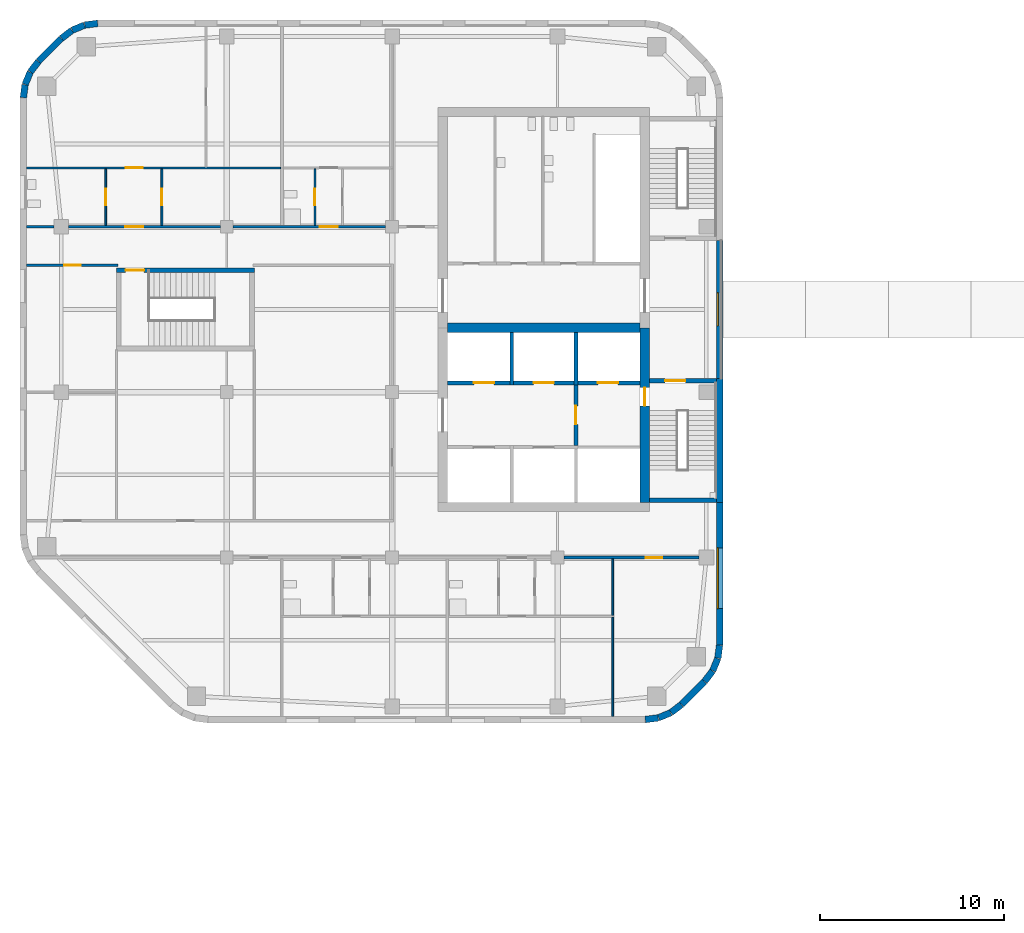
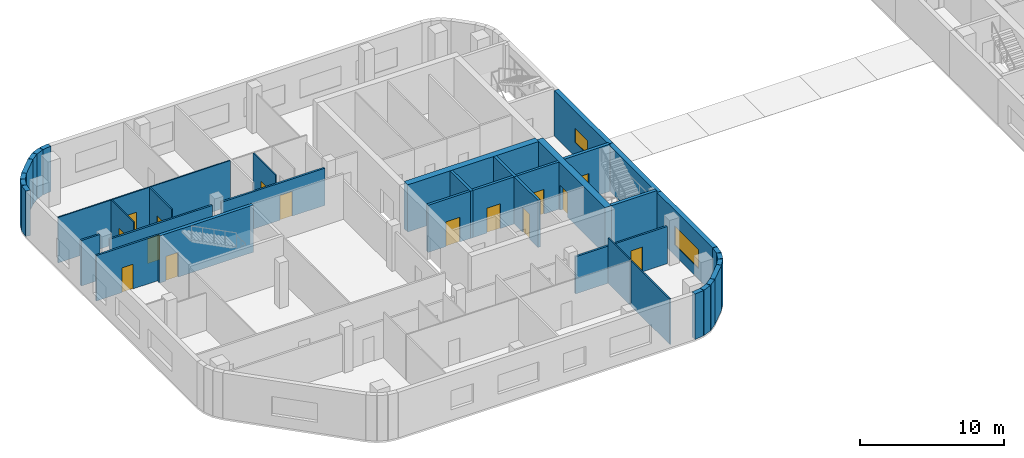
# One storey, part 6 of 15: 39 walls, 15 doors, 2 windows, 17 openings.
"""IFC4 building model written with IfcOpenShell, lengths in metres."""

from ifc_helpers import new_model, si_unit, direction, frame, frame_2d, origin, place, context, subcontext, project, spatial, rectangle, extrude, material, layer, layer_set, type_object, element, fill, save


model = new_model("IFC4")

# Units and contexts
model_context = context("Model", 3, precision=1e-05, world=origin(), true_north=direction((0.0, 1.0)))
body_context = subcontext(model_context, "Body", "Model", "MODEL_VIEW")
ifc_project = project(units=[si_unit("LENGTHUNIT", "METRE"), si_unit("AREAUNIT", "SQUARE_METRE"), si_unit("VOLUMEUNIT", "CUBIC_METRE"), si_unit("PLANEANGLEUNIT", "RADIAN"), si_unit("MASSUNIT", "GRAM", prefix="KILO")], contexts=[model_context])

# Site, building, storey
site_placement = place(None, origin())
site = spatial("IfcSite", under=ifc_project, at=site_placement, CompositionType="ELEMENT")
building_placement = place(site_placement, origin())
building = spatial("IfcBuilding", under=site, at=building_placement, Name="Cinnabar Reach Civic Tower", CompositionType="ELEMENT")
storey_placement = place(building_placement, frame((0.0, 0.0, 75.0)))
storey = spatial("IfcBuildingStorey", under=building, at=storey_placement, Name="L17", CompositionType="ELEMENT", Elevation=75.0)

# Walls
ifc_material_1 = material(Name="Facing brick with insulated backing", Category="masonry")
ifc_layer_1 = layer(ifc_material_1, 0.36)
ifc_layer_set_1 = layer_set([ifc_layer_1], Name="Brick corner wall")
wall_type_1 = type_object("IfcWallType", Name="Brick corner wall", PredefinedType="STANDARD", material=ifc_layer_set_1)
for number, where, z_axis, x_axis, name in (
    (1, (-31.2314, 9.183, 0.0), (0.0, 0.0, 1.0), (0.99144092581, 0.13055608231, 0.0), "Brick corner wall"),
    (2, (-30.5027, 9.2819, 0.0), (0.0, 0.0, 1.0), (0.923871547278, 0.382702709855, 0.0), "Brick corner wall"),
):
    element("IfcWall", number, at=place(storey_placement, frame(where, z_axis=z_axis, x_axis=x_axis)), inside=storey, type_object=wall_type_1, Name=name, PredefinedType="STANDARD", context=body_context, shape_type="SweptSolid", body=[
        extrude(rectangle(XDim=0.7131, YDim=0.36, at=frame_2d((0.3565, 0.0))), origin(), (0.0, 0.0, 1.0), 3.85),
    ])
for number, where, z_axis, x_axis, name in (
    (3, (-29.8245, 9.566, 0.0), (0.0, 0.0, 1.0), (0.793321924995, 0.608802368033, 0.0), "Brick corner wall"),
    (4, (-28.0002, 11.2587, 0.0), (0.0, 0.0, 1.0), (0.608802368033, 0.793321924995, 0.0), "Brick corner wall"),
):
    element("IfcWall", number, at=place(storey_placement, frame(where, z_axis=z_axis, x_axis=x_axis)), inside=storey, type_object=wall_type_1, Name=name, PredefinedType="STANDARD", context=body_context, shape_type="SweptSolid", body=[
        extrude(rectangle(XDim=0.7132, YDim=0.36, at=frame_2d((0.3566, 0.0))), origin(), (0.0, 0.0, 1.0), 3.85),
    ])
for number, where, z_axis, x_axis, name in (
    (5, (-27.5548, 11.8439, 0.0), (0.0, 0.0, 1.0), (0.382702709855, 0.923871547278, 0.0), "Brick corner wall"),
    (6, (-27.2761, 12.5244, 0.0), (0.0, 0.0, 1.0), (0.13055608231, 0.99144092581, 0.0), "Brick corner wall"),
    (7, (-61.0186, 47.067, 0.0), (0.0, 0.0, 1.0), (-0.99144092581, -0.13055608231, 0.0), "Brick corner wall"),
    (8, (-61.7473, 46.9681, 0.0), (0.0, 0.0, 1.0), (-0.923871547278, -0.382702709855, 0.0), "Brick corner wall"),
):
    element("IfcWall", number, at=place(storey_placement, frame(where, z_axis=z_axis, x_axis=x_axis)), inside=storey, type_object=wall_type_1, Name=name, PredefinedType="STANDARD", context=body_context, shape_type="SweptSolid", body=[
        extrude(rectangle(XDim=0.7131, YDim=0.36, at=frame_2d((0.3565, 0.0))), origin(), (0.0, 0.0, 1.0), 3.85),
    ])
for number, where, z_axis, x_axis, name in (
    (9, (-62.4255, 46.684, 0.0), (0.0, 0.0, 1.0), (-0.793321924995, -0.608802368033, 0.0), "Brick corner wall"),
    (10, (-64.2498, 44.9913, 0.0), (0.0, 0.0, 1.0), (-0.608802368033, -0.793321924995, 0.0), "Brick corner wall"),
):
    element("IfcWall", number, at=place(storey_placement, frame(where, z_axis=z_axis, x_axis=x_axis)), inside=storey, type_object=wall_type_1, Name=name, PredefinedType="STANDARD", context=body_context, shape_type="SweptSolid", body=[
        extrude(rectangle(XDim=0.7132, YDim=0.36, at=frame_2d((0.3566, 0.0))), origin(), (0.0, 0.0, 1.0), 3.85),
    ])
for number, where, z_axis, x_axis, name in (
    (11, (-64.6952, 44.4061, 0.0), (0.0, 0.0, 1.0), (-0.382702709855, -0.923871547278, 0.0), "Brick corner wall"),
    (12, (-64.9739, 43.7256, 0.0), (0.0, 0.0, 1.0), (-0.13055608231, -0.99144092581, 0.0), "Brick corner wall"),
):
    element("IfcWall", number, at=place(storey_placement, frame(where, z_axis=z_axis, x_axis=x_axis)), inside=storey, type_object=wall_type_1, Name=name, PredefinedType="STANDARD", context=body_context, shape_type="SweptSolid", body=[
        extrude(rectangle(XDim=0.7131, YDim=0.36, at=frame_2d((0.3565, 0.0))), origin(), (0.0, 0.0, 1.0), 3.85),
    ])
ifc_layer_2 = layer(ifc_material_1, 0.36)
ifc_layer_set_2 = layer_set([ifc_layer_2], Name="Brick pier and spandrel wall")
wall_type_2 = type_object("IfcWallType", Name="Brick pier and spandrel wall", PredefinedType="STANDARD", material=ifc_layer_set_2)
wall_1_placement = place(storey_placement, frame((-29.2486, 10.006, 0.0), z_axis=(0.0, 0.0, 1.0), x_axis=(0.707106781187, 0.707106781187, 0.0)))
element("IfcWall", 13, at=wall_1_placement, inside=storey, type_object=wall_type_2, Name="Brick facade wall", PredefinedType="STANDARD", context=body_context, shape_type="SweptSolid", body=[
    extrude(rectangle(XDim=1.7573, YDim=0.36, at=frame_2d((0.8787, 0.0))), origin(), (0.0, 0.0, 1.0), 3.85),
])

# Wall, opening, window
wall_2_placement = place(storey_placement, frame((-27.18, 13.2426, 0.0), z_axis=(0.0, 0.0, 1.0), x_axis=(0.0, 1.0, 0.0)))
wall_2 = element("IfcWall", 14, at=wall_2_placement, inside=storey, type_object=wall_type_2, Name="Brick facade wall", PredefinedType="STANDARD", context=body_context, shape_type="SweptSolid", body=[
    extrude(rectangle(XDim=7.7574, YDim=0.36, at=frame_2d((3.8787, 0.0))), origin(), (0.0, 0.0, 1.0), 3.85),
])
opening_1_placement = place(wall_2_placement, frame((1.9824, 0.0, 0.9)))
opening_1 = element("IfcOpeningElement", 15, at=opening_1_placement, cuts=wall_2, Name="Opening W2573", PredefinedType="OPENING", context=body_context, shape_type="SweptSolid", body=[
    extrude(rectangle(XDim=3.3, YDim=1.6, at=frame_2d((1.65, 0.8))), frame((0.0, 0.19, 0.0), z_axis=(0.0, -1.0, 0.0), x_axis=(1.0, 0.0, 0.0)), (0.0, 0.0, 1.0), 0.38),
])
ifc_material_2 = material(Name="Clear double glazing in aluminium frame", Category="aluminium")
window_type_1 = type_object("IfcWindowType", Name="Deep-set window A", PartitioningType="SINGLE_PANEL", PredefinedType="WINDOW", material=ifc_material_2)
window_1_placement = place(opening_1_placement, origin())
window_1 = element("IfcWindow", 16, at=window_1_placement, inside=storey, type_object=window_type_1, Name="Window east face", OverallHeight=1.6, OverallWidth=3.3, PartitioningType="SINGLE_PANEL", PredefinedType="WINDOW", context=body_context, shape_type="SweptSolid", body=[
    extrude(rectangle(XDim=3.3, YDim=1.6, at=frame_2d((1.65, 0.8))), frame((0.0, 0.13, 0.0), z_axis=(0.0, -1.0, 0.0), x_axis=(1.0, 0.0, 0.0)), (0.0, 0.0, 1.0), 0.06),
])
fill(opening_1, window_1)

# Wall
wall_3_placement = place(storey_placement, frame((-27.18, 21.0, 0.0), z_axis=(0.0, 0.0, 1.0), x_axis=(0.0, 1.0, 0.0)))
element("IfcWall", 17, at=wall_3_placement, inside=storey, type_object=wall_type_2, Name="Brick facade wall", PredefinedType="STANDARD", context=body_context, shape_type="SweptSolid", body=[
    extrude(rectangle(XDim=6.75, YDim=0.36, at=frame_2d((3.375, 0.0))), origin(), (0.0, 0.0, 1.0), 3.85),
])

# Wall, opening, window
wall_4_placement = place(storey_placement, frame((-27.18, 27.75, 0.0), z_axis=(0.0, 0.0, 1.0), x_axis=(0.0, 1.0, 0.0)))
wall_4 = element("IfcWall", 18, at=wall_4_placement, inside=storey, type_object=wall_type_2, Name="Brick facade wall", PredefinedType="STANDARD", context=body_context, shape_type="SweptSolid", body=[
    extrude(rectangle(XDim=7.5, YDim=0.36, at=frame_2d((3.75, 0.0))), origin(), (0.0, 0.0, 1.0), 3.85),
])
opening_2_placement = place(wall_4_placement, frame((2.85, 0.0, 1.2)))
opening_2 = element("IfcOpeningElement", 19, at=opening_2_placement, cuts=wall_4, Name="Opening W2574", PredefinedType="OPENING", context=body_context, shape_type="SweptSolid", body=[
    extrude(rectangle(XDim=1.8, YDim=1.2, at=frame_2d((0.9, 0.6))), frame((0.0, 0.19, 0.0), z_axis=(0.0, -1.0, 0.0), x_axis=(1.0, 0.0, 0.0)), (0.0, 0.0, 1.0), 0.38),
])
window_type_2 = type_object("IfcWindowType", Name="Deep-set window C", PartitioningType="SINGLE_PANEL", PredefinedType="WINDOW", material=ifc_material_2)
window_2_placement = place(opening_2_placement, origin())
window_2 = element("IfcWindow", 20, at=window_2_placement, inside=storey, type_object=window_type_2, Name="Window east face", OverallHeight=1.2, OverallWidth=1.8, PartitioningType="SINGLE_PANEL", PredefinedType="WINDOW", context=body_context, shape_type="SweptSolid", body=[
    extrude(rectangle(XDim=1.8, YDim=1.2, at=frame_2d((0.9, 0.6))), frame((0.0, 0.13, 0.0), z_axis=(0.0, -1.0, 0.0), x_axis=(1.0, 0.0, 0.0)), (0.0, 0.0, 1.0), 0.06),
])
fill(opening_2, window_2)

# Wall
wall_5_placement = place(storey_placement, frame((-63.0014, 46.244, 0.0), z_axis=(0.0, 0.0, 1.0), x_axis=(-0.707106781187, -0.707106781187, 0.0)))
element("IfcWall", 21, at=wall_5_placement, inside=storey, type_object=wall_type_2, Name="Brick facade wall", PredefinedType="STANDARD", context=body_context, shape_type="SweptSolid", body=[
    extrude(rectangle(XDim=1.7573, YDim=0.36, at=frame_2d((0.8787, 0.0))), origin(), (0.0, 0.0, 1.0), 3.85),
])

# Wall, opening, door
ifc_material_3 = material(Name="Concrete C60", Category="concrete")
ifc_layer_3 = layer(ifc_material_3, 0.5)
ifc_layer_set_3 = layer_set([ifc_layer_3], Name="Core wall 500 EI 180")
wall_type_3 = type_object("IfcWallType", Name="Core wall 500 EI 180", PredefinedType="SOLIDWALL", material=ifc_layer_set_3)
wall_6_placement = place(storey_placement, frame((-31.25, 21.0, 0.0), z_axis=(0.0, 0.0, 1.0), x_axis=(0.0, 1.0, 0.0)))
wall_6 = element("IfcWall", 22, at=wall_6_placement, inside=storey, type_object=wall_type_3, Name="Core wall T2 L17 E", PredefinedType="SOLIDWALL", context=body_context, shape_type="SweptSolid", body=[
    extrude(rectangle(XDim=9.5, YDim=0.5, at=frame_2d((4.75, 0.0))), origin(), (0.0, 0.0, 1.0), 4.0),
])
opening_3_placement = place(wall_6_placement, frame((5.25, 0.0, 0.0)))
opening_3 = element("IfcOpeningElement", 23, at=opening_3_placement, cuts=wall_6, Name="Opening D6632", PredefinedType="OPENING", context=body_context, shape_type="SweptSolid", body=[
    extrude(rectangle(XDim=1.0, YDim=2.1, at=frame_2d((0.5, 1.05))), frame((0.0, 0.26, 0.0), z_axis=(0.0, -1.0, 0.0), x_axis=(1.0, 0.0, 0.0)), (0.0, 0.0, 1.0), 0.52),
])
ifc_material_4 = material(Name="Steel fire door", Category="steel")
door_type_1 = type_object("IfcDoorType", Name="T2 Firefighting lobby door 1000", OperationType="SINGLE_SWING_LEFT", PredefinedType="DOOR", material=ifc_material_4)
door_1_placement = place(opening_3_placement, frame((1.0, 0.0, 0.0), z_axis=(0.0, 0.0, 1.0), x_axis=(-1.0, 0.0, 0.0)))
door_1 = element("IfcDoor", 24, at=door_1_placement, inside=storey, type_object=door_type_1, Name="T2 Firefighting lobby door D6632", OperationType="SINGLE_SWING_LEFT", OverallHeight=2.1, OverallWidth=1.0, PredefinedType="DOOR", context=body_context, shape_type="SweptSolid", body=[
    extrude(rectangle(XDim=1.0, YDim=2.1, at=frame_2d((0.5, 1.05))), frame((0.0, 0.025, 0.0), z_axis=(0.0, -1.0, 0.0), x_axis=(1.0, 0.0, 0.0)), (0.0, 0.0, 1.0), 0.05),
])
fill(opening_3, door_1)

# Wall
wall_7_placement = place(storey_placement, frame((-42.0, 30.5, 0.0), z_axis=(0.0, 0.0, 1.0), x_axis=(1.0, 0.0, 0.0)))
element("IfcWall", 25, at=wall_7_placement, inside=storey, type_object=wall_type_3, Name="Core spine wall T2 L17", PredefinedType="SOLIDWALL", context=body_context, shape_type="SweptSolid", body=[
    extrude(rectangle(XDim=10.5, YDim=0.5, at=frame_2d((5.25, 0.0))), origin(), (0.0, 0.0, 1.0), 4.0),
])

# Wall, opening, door
ifc_material_5 = material(Name="Gypsum board on steel studs, double layer", Category="steel")
ifc_layer_4 = layer(ifc_material_5, 0.15)
ifc_layer_set_4 = layer_set([ifc_layer_4], Name="Corridor wall 150 T2")
wall_type_4 = type_object("IfcWallType", Name="Corridor wall 150 T2", PredefinedType="PARTITIONING", material=ifc_layer_set_4)
wall_8_placement = place(storey_placement, frame((-35.65, 18.0, 0.0), z_axis=(0.0, 0.0, 1.0), x_axis=(1.0, 0.0, 0.0)))
wall_8 = element("IfcWall", 26, at=wall_8_placement, inside=storey, type_object=wall_type_4, Name="Corridor wall 1", PredefinedType="PARTITIONING", context=body_context, shape_type="SweptSolid", body=[
    extrude(rectangle(XDim=7.35, YDim=0.15, at=frame_2d((3.675, 0.0))), origin(), (0.0, 0.0, 1.0), 3.158),
])
opening_4_placement = place(wall_8_placement, frame((4.45, 0.0, 0.0)))
opening_4 = element("IfcOpeningElement", 27, at=opening_4_placement, cuts=wall_8, Name="Opening D6651", PredefinedType="OPENING", context=body_context, shape_type="SweptSolid", body=[
    extrude(rectangle(XDim=0.9, YDim=2.1, at=frame_2d((0.45, 1.05))), frame((0.0, 0.085, 0.0), z_axis=(0.0, -1.0, 0.0), x_axis=(1.0, 0.0, 0.0)), (0.0, 0.0, 1.0), 0.17),
])
ifc_material_6 = material(Name="Timber door leaf in steel frame", Category="steel")
door_type_2 = type_object("IfcDoorType", Name="Single swing door 900 x 2100 T2", OperationType="SINGLE_SWING_LEFT", PredefinedType="DOOR", material=ifc_material_6)
door_2_placement = place(opening_4_placement, frame((0.9, 0.0, 0.0), z_axis=(0.0, 0.0, 1.0), x_axis=(-1.0, 0.0, 0.0)))
door_2 = element("IfcDoor", 28, at=door_2_placement, inside=storey, type_object=door_type_2, Name="Door D6651", OperationType="SINGLE_SWING_LEFT", OverallHeight=2.1, OverallWidth=0.9, PredefinedType="DOOR", context=body_context, shape_type="SweptSolid", body=[
    extrude(rectangle(XDim=0.9, YDim=2.1, at=frame_2d((0.45, 1.05))), frame((0.0, 0.025, 0.0), z_axis=(0.0, -1.0, 0.0), x_axis=(1.0, 0.0, 0.0)), (0.0, 0.0, 1.0), 0.05),
])
fill(opening_4, door_2)

wall_9_placement = place(storey_placement, frame((-53.65, 36.0, 0.0), z_axis=(0.0, 0.0, 1.0), x_axis=(1.0, 0.0, 0.0)))
wall_9 = element("IfcWall", 29, at=wall_9_placement, inside=storey, type_object=wall_type_4, Name="Corridor wall 6", PredefinedType="PARTITIONING", context=body_context, shape_type="SweptSolid", body=[
    extrude(rectangle(XDim=8.3, YDim=0.15, at=frame_2d((4.15, 0.0))), origin(), (0.0, 0.0, 1.0), 3.158),
])
opening_5_placement = place(wall_9_placement, frame((4.7, 0.0, 0.0)))
opening_5 = element("IfcOpeningElement", 30, at=opening_5_placement, cuts=wall_9, Name="Opening D6660", PredefinedType="OPENING", context=body_context, shape_type="SweptSolid", body=[
    extrude(rectangle(XDim=1.0, YDim=2.1, at=frame_2d((0.5, 1.05))), frame((0.0, 0.085, 0.0), z_axis=(0.0, -1.0, 0.0), x_axis=(1.0, 0.0, 0.0)), (0.0, 0.0, 1.0), 0.17),
])
door_type_3 = type_object("IfcDoorType", Name="Tenancy entrance door 1000 x 2100 T2", OperationType="SINGLE_SWING_LEFT", PredefinedType="DOOR", material=ifc_material_6)
door_3_placement = place(opening_5_placement, origin())
door_3 = element("IfcDoor", 31, at=door_3_placement, inside=storey, type_object=door_type_3, Name="Door D6660", OperationType="SINGLE_SWING_RIGHT", OverallHeight=2.1, OverallWidth=1.0, PredefinedType="DOOR", context=body_context, shape_type="SweptSolid", body=[
    extrude(rectangle(XDim=1.0, YDim=2.1, at=frame_2d((0.5, 1.05))), frame((0.0, 0.025, 0.0), z_axis=(0.0, -1.0, 0.0), x_axis=(1.0, 0.0, 0.0)), (0.0, 0.0, 1.0), 0.05),
])
fill(opening_5, door_3)

wall_10_placement = place(storey_placement, frame((-62.6, 36.0, 0.0), z_axis=(0.0, 0.0, 1.0), x_axis=(1.0, 0.0, 0.0)))
wall_10 = element("IfcWall", 32, at=wall_10_placement, inside=storey, type_object=wall_type_4, Name="Corridor wall 7", PredefinedType="PARTITIONING", context=body_context, shape_type="SweptSolid", body=[
    extrude(rectangle(XDim=8.25, YDim=0.15, at=frame_2d((4.125, 0.0))), origin(), (0.0, 0.0, 1.0), 3.158),
])
opening_6_placement = place(wall_10_placement, frame((3.0659, 0.0, 0.0)))
opening_6 = element("IfcOpeningElement", 33, at=opening_6_placement, cuts=wall_10, Name="Opening D6656", PredefinedType="OPENING", context=body_context, shape_type="SweptSolid", body=[
    extrude(rectangle(XDim=1.0, YDim=2.1, at=frame_2d((0.5, 1.05))), frame((0.0, 0.085, 0.0), z_axis=(0.0, -1.0, 0.0), x_axis=(1.0, 0.0, 0.0)), (0.0, 0.0, 1.0), 0.17),
])
door_4_placement = place(opening_6_placement, origin())
door_4 = element("IfcDoor", 34, at=door_4_placement, inside=storey, type_object=door_type_3, Name="Door D6656", OperationType="SINGLE_SWING_RIGHT", OverallHeight=2.1, OverallWidth=1.0, PredefinedType="DOOR", context=body_context, shape_type="SweptSolid", body=[
    extrude(rectangle(XDim=1.0, YDim=2.1, at=frame_2d((0.5, 1.05))), frame((0.0, 0.025, 0.0), z_axis=(0.0, -1.0, 0.0), x_axis=(1.0, 0.0, 0.0)), (0.0, 0.0, 1.0), 0.05),
])
fill(opening_6, door_4)

# Wall
wall_11_placement = place(storey_placement, frame((-64.89, 36.0, 0.0), z_axis=(0.0, 0.0, 1.0), x_axis=(1.0, 0.0, 0.0)))
element("IfcWall", 35, at=wall_11_placement, inside=storey, type_object=wall_type_4, Name="Corridor wall 8", PredefinedType="PARTITIONING", context=body_context, shape_type="SweptSolid", body=[
    extrude(rectangle(XDim=1.49, YDim=0.15, at=frame_2d((0.745, 0.0))), origin(), (0.0, 0.0, 1.0), 3.85),
])

# Wall, opening, door
wall_12_placement = place(storey_placement, frame((-64.89, 33.9, 0.0), z_axis=(0.0, 0.0, 1.0), x_axis=(1.0, 0.0, 0.0)))
wall_12 = element("IfcWall", 36, at=wall_12_placement, inside=storey, type_object=wall_type_4, Name="Corridor wall 13", PredefinedType="PARTITIONING", context=body_context, shape_type="SweptSolid", body=[
    extrude(rectangle(XDim=4.965, YDim=0.15, at=frame_2d((2.4825, 0.0))), origin(), (0.0, 0.0, 1.0), 3.85),
])
opening_7_placement = place(wall_12_placement, frame((2.05, 0.0, 0.0)))
opening_7 = element("IfcOpeningElement", 37, at=opening_7_placement, cuts=wall_12, Name="Opening D6662", PredefinedType="OPENING", context=body_context, shape_type="SweptSolid", body=[
    extrude(rectangle(XDim=0.9, YDim=2.1, at=frame_2d((0.45, 1.05))), frame((0.0, 0.085, 0.0), z_axis=(0.0, -1.0, 0.0), x_axis=(1.0, 0.0, 0.0)), (0.0, 0.0, 1.0), 0.17),
])
door_5_placement = place(opening_7_placement, frame((0.9, 0.0, 0.0), z_axis=(0.0, 0.0, 1.0), x_axis=(-1.0, 0.0, 0.0)))
door_5 = element("IfcDoor", 38, at=door_5_placement, inside=storey, type_object=door_type_2, Name="Door D6662", OperationType="SINGLE_SWING_LEFT", OverallHeight=2.1, OverallWidth=0.9, PredefinedType="DOOR", context=body_context, shape_type="SweptSolid", body=[
    extrude(rectangle(XDim=0.9, YDim=2.1, at=frame_2d((0.45, 1.05))), frame((0.0, 0.025, 0.0), z_axis=(0.0, -1.0, 0.0), x_axis=(1.0, 0.0, 0.0)), (0.0, 0.0, 1.0), 0.05),
])
fill(opening_7, door_5)

ifc_material_7 = material(Name="Gypsum board on steel studs", Category="steel")
ifc_layer_5 = layer(ifc_material_7, 0.1)
ifc_layer_set_5 = layer_set([ifc_layer_5], Name="Partition wall 100 T2")
wall_type_5 = type_object("IfcWallType", Name="Partition wall 100 T2", PredefinedType="PARTITIONING", material=ifc_layer_set_5)
wall_13_placement = place(storey_placement, frame((-64.89, 39.2, 0.0), z_axis=(0.0, 0.0, 1.0), x_axis=(1.0, 0.0, 0.0)))
wall_13 = element("IfcWall", 39, at=wall_13_placement, inside=storey, type_object=wall_type_5, Name="Partition wall 17", PredefinedType="PARTITIONING", context=body_context, shape_type="SweptSolid", body=[
    extrude(rectangle(XDim=13.815, YDim=0.1, at=frame_2d((6.9075, 0.0))), origin(), (0.0, 0.0, 1.0), 3.85),
])
opening_8_placement = place(wall_13_placement, frame((5.4059, 0.0, 0.0)))
opening_8 = element("IfcOpeningElement", 40, at=opening_8_placement, cuts=wall_13, Name="Opening D6654", PredefinedType="OPENING", context=body_context, shape_type="SweptSolid", body=[
    extrude(rectangle(XDim=0.9, YDim=2.1, at=frame_2d((0.45, 1.05))), frame((0.0, 0.06, 0.0), z_axis=(0.0, -1.0, 0.0), x_axis=(1.0, 0.0, 0.0)), (0.0, 0.0, 1.0), 0.12),
])
door_6_placement = place(opening_8_placement, frame((0.9, 0.0, 0.0), z_axis=(0.0, 0.0, 1.0), x_axis=(-1.0, 0.0, 0.0)))
door_6 = element("IfcDoor", 41, at=door_6_placement, inside=storey, type_object=door_type_2, Name="Door D6654", OperationType="SINGLE_SWING_LEFT", OverallHeight=2.1, OverallWidth=0.9, PredefinedType="DOOR", context=body_context, shape_type="SweptSolid", body=[
    extrude(rectangle(XDim=0.9, YDim=2.1, at=frame_2d((0.45, 1.05))), frame((0.0, 0.025, 0.0), z_axis=(0.0, -1.0, 0.0), x_axis=(1.0, 0.0, 0.0)), (0.0, 0.0, 1.0), 0.05),
])
fill(opening_8, door_6)

# Walls
wall_14_placement = place(storey_placement, frame((-33.0, 14.85, 0.0), z_axis=(0.0, 0.0, 1.0), x_axis=(0.0, 1.0, 0.0)))
element("IfcWall", 42, at=wall_14_placement, inside=storey, type_object=wall_type_5, Name="Partition wall 26", PredefinedType="PARTITIONING", context=body_context, shape_type="SweptSolid", body=[
    extrude(rectangle(XDim=3.075, YDim=0.1, at=frame_2d((1.5375, 0.0))), origin(), (0.0, 0.0, 1.0), 3.85),
])
wall_15_placement = place(storey_placement, frame((-33.0, 9.36, 0.0), z_axis=(0.0, 0.0, 1.0), x_axis=(0.0, 1.0, 0.0)))
element("IfcWall", 43, at=wall_15_placement, inside=storey, type_object=wall_type_5, Name="Partition wall 27", PredefinedType="PARTITIONING", context=body_context, shape_type="SweptSolid", body=[
    extrude(rectangle(XDim=5.39, YDim=0.1, at=frame_2d((2.695, 0.0))), origin(), (0.0, 0.0, 1.0), 3.85),
])

# Wall, opening, door
wall_16_placement = place(storey_placement, frame((-60.5841, 36.075, 0.0), z_axis=(0.0, 0.0, 1.0), x_axis=(0.0, 1.0, 0.0)))
wall_16 = element("IfcWall", 44, at=wall_16_placement, inside=storey, type_object=wall_type_5, Name="Partition wall 31", PredefinedType="PARTITIONING", context=body_context, shape_type="SweptSolid", body=[
    extrude(rectangle(XDim=3.075, YDim=0.1, at=frame_2d((1.5375, 0.0))), origin(), (0.0, 0.0, 1.0), 3.85),
])
opening_9_placement = place(wall_16_placement, frame((1.1, 0.0, 0.0)))
opening_9 = element("IfcOpeningElement", 45, at=opening_9_placement, cuts=wall_16, Name="Opening D6652", PredefinedType="OPENING", context=body_context, shape_type="SweptSolid", body=[
    extrude(rectangle(XDim=0.9, YDim=2.1, at=frame_2d((0.45, 1.05))), frame((0.0, 0.06, 0.0), z_axis=(0.0, -1.0, 0.0), x_axis=(1.0, 0.0, 0.0)), (0.0, 0.0, 1.0), 0.12),
])
door_7_placement = place(opening_9_placement, origin())
door_7 = element("IfcDoor", 46, at=door_7_placement, inside=storey, type_object=door_type_2, Name="Door D6652", OperationType="SINGLE_SWING_LEFT", OverallHeight=2.1, OverallWidth=0.9, PredefinedType="DOOR", context=body_context, shape_type="SweptSolid", body=[
    extrude(rectangle(XDim=0.9, YDim=2.1, at=frame_2d((0.45, 1.05))), frame((0.0, 0.025, 0.0), z_axis=(0.0, -1.0, 0.0), x_axis=(1.0, 0.0, 0.0)), (0.0, 0.0, 1.0), 0.05),
])
fill(opening_9, door_7)

wall_17_placement = place(storey_placement, frame((-57.5283, 36.075, 0.0), z_axis=(0.0, 0.0, 1.0), x_axis=(0.0, 1.0, 0.0)))
wall_17 = element("IfcWall", 47, at=wall_17_placement, inside=storey, type_object=wall_type_5, Name="Partition wall 32", PredefinedType="PARTITIONING", context=body_context, shape_type="SweptSolid", body=[
    extrude(rectangle(XDim=3.075, YDim=0.1, at=frame_2d((1.5375, 0.0))), origin(), (0.0, 0.0, 1.0), 3.85),
])
opening_10_placement = place(wall_17_placement, frame((1.1, 0.0, 0.0)))
opening_10 = element("IfcOpeningElement", 48, at=opening_10_placement, cuts=wall_17, Name="Opening D6653", PredefinedType="OPENING", context=body_context, shape_type="SweptSolid", body=[
    extrude(rectangle(XDim=0.9, YDim=2.1, at=frame_2d((0.45, 1.05))), frame((0.0, 0.06, 0.0), z_axis=(0.0, -1.0, 0.0), x_axis=(1.0, 0.0, 0.0)), (0.0, 0.0, 1.0), 0.12),
])
door_8_placement = place(opening_10_placement, origin())
door_8 = element("IfcDoor", 49, at=door_8_placement, inside=storey, type_object=door_type_2, Name="Door D6653", OperationType="SINGLE_SWING_LEFT", OverallHeight=2.1, OverallWidth=0.9, PredefinedType="DOOR", context=body_context, shape_type="SweptSolid", body=[
    extrude(rectangle(XDim=0.9, YDim=2.1, at=frame_2d((0.45, 1.05))), frame((0.0, 0.025, 0.0), z_axis=(0.0, -1.0, 0.0), x_axis=(1.0, 0.0, 0.0)), (0.0, 0.0, 1.0), 0.05),
])
fill(opening_10, door_8)

wall_18_placement = place(storey_placement, frame((-49.2, 36.075, 0.0), z_axis=(0.0, 0.0, 1.0), x_axis=(0.0, 1.0, 0.0)))
wall_18 = element("IfcWall", 50, at=wall_18_placement, inside=storey, type_object=wall_type_5, Name="Partition wall 33", PredefinedType="PARTITIONING", context=body_context, shape_type="SweptSolid", body=[
    extrude(rectangle(XDim=3.075, YDim=0.1, at=frame_2d((1.5375, 0.0))), origin(), (0.0, 0.0, 1.0), 3.85),
])
opening_11_placement = place(wall_18_placement, frame((1.1, 0.0, 0.0)))
opening_11 = element("IfcOpeningElement", 51, at=opening_11_placement, cuts=wall_18, Name="Opening D6657", PredefinedType="OPENING", context=body_context, shape_type="SweptSolid", body=[
    extrude(rectangle(XDim=0.9, YDim=2.1, at=frame_2d((0.45, 1.05))), frame((0.0, 0.06, 0.0), z_axis=(0.0, -1.0, 0.0), x_axis=(1.0, 0.0, 0.0)), (0.0, 0.0, 1.0), 0.12),
])
door_9_placement = place(opening_11_placement, origin())
door_9 = element("IfcDoor", 52, at=door_9_placement, inside=storey, type_object=door_type_2, Name="Door D6657", OperationType="SINGLE_SWING_RIGHT", OverallHeight=2.1, OverallWidth=0.9, PredefinedType="DOOR", context=body_context, shape_type="SweptSolid", body=[
    extrude(rectangle(XDim=0.9, YDim=2.1, at=frame_2d((0.45, 1.05))), frame((0.0, 0.025, 0.0), z_axis=(0.0, -1.0, 0.0), x_axis=(1.0, 0.0, 0.0)), (0.0, 0.0, 1.0), 0.05),
])
fill(opening_11, door_9)

# Wall
ifc_layer_6 = layer(ifc_material_3, 0.25)
ifc_layer_set_6 = layer_set([ifc_layer_6], Name="Stair shaft wall 250 EI 120")
wall_type_6 = type_object("IfcWallType", Name="Stair shaft wall 250 EI 120", PredefinedType="SOLIDWALL", material=ifc_layer_set_6)
wall_19_placement = place(storey_placement, frame((-31.0, 21.125, 0.0), z_axis=(0.0, 0.0, 1.0), x_axis=(1.0, 0.0, 0.0)))
element("IfcWall", 53, at=wall_19_placement, inside=storey, type_object=wall_type_6, Name="Stair shaft wall T2-S1 L17", PredefinedType="SOLIDWALL", context=body_context, shape_type="SweptSolid", body=[
    extrude(rectangle(XDim=3.64, YDim=0.25, at=frame_2d((1.82, 0.0))), origin(), (0.0, 0.0, 1.0), 4.0),
])

# Wall, opening, door
wall_20_placement = place(storey_placement, frame((-27.36, 27.625, 0.0), z_axis=(0.0, 0.0, 1.0), x_axis=(-1.0, 0.0, 0.0)))
wall_20 = element("IfcWall", 54, at=wall_20_placement, inside=storey, type_object=wall_type_6, Name="Stair shaft wall T2-S1 L17", PredefinedType="SOLIDWALL", context=body_context, shape_type="SweptSolid", body=[
    extrude(rectangle(XDim=3.64, YDim=0.25, at=frame_2d((1.82, 0.0))), origin(), (0.0, 0.0, 1.0), 4.0),
])
opening_12_placement = place(wall_20_placement, frame((1.69, 0.0, 0.0)))
opening_12 = element("IfcOpeningElement", 55, at=opening_12_placement, cuts=wall_20, Name="Opening D6633", PredefinedType="OPENING", context=body_context, shape_type="SweptSolid", body=[
    extrude(rectangle(XDim=1.1, YDim=2.1, at=frame_2d((0.55, 1.05))), frame((0.0, 0.135, 0.0), z_axis=(0.0, -1.0, 0.0), x_axis=(1.0, 0.0, 0.0)), (0.0, 0.0, 1.0), 0.27),
])
door_type_4 = type_object("IfcDoorType", Name="T2 Stair door 1100", OperationType="SINGLE_SWING_LEFT", PredefinedType="DOOR", material=ifc_material_4)
door_10_placement = place(opening_12_placement, origin())
door_10 = element("IfcDoor", 56, at=door_10_placement, inside=storey, type_object=door_type_4, Name="T2 Stair door D6633", OperationType="SINGLE_SWING_RIGHT", OverallHeight=2.1, OverallWidth=1.1, PredefinedType="DOOR", context=body_context, shape_type="SweptSolid", body=[
    extrude(rectangle(XDim=1.1, YDim=2.1, at=frame_2d((0.55, 1.05))), frame((0.0, 0.025, 0.0), z_axis=(0.0, -1.0, 0.0), x_axis=(1.0, 0.0, 0.0)), (0.0, 0.0, 1.0), 0.05),
])
fill(opening_12, door_10)

wall_21_placement = place(storey_placement, frame((-52.5, 33.625, 0.0), z_axis=(0.0, 0.0, 1.0), x_axis=(-1.0, 0.0, 0.0)))
wall_21 = element("IfcWall", 57, at=wall_21_placement, inside=storey, type_object=wall_type_6, Name="Stair shaft wall T2-S3 L17", PredefinedType="SOLIDWALL", context=body_context, shape_type="SweptSolid", body=[
    extrude(rectangle(XDim=7.5, YDim=0.25, at=frame_2d((3.75, 0.0))), origin(), (0.0, 0.0, 1.0), 4.0),
])
opening_13_placement = place(wall_21_placement, frame((6.0, 0.0, 0.0)))
opening_13 = element("IfcOpeningElement", 58, at=opening_13_placement, cuts=wall_21, Name="Opening D6665", PredefinedType="OPENING", context=body_context, shape_type="SweptSolid", body=[
    extrude(rectangle(XDim=1.0, YDim=2.1, at=frame_2d((0.5, 1.05))), frame((0.0, 0.135, 0.0), z_axis=(0.0, -1.0, 0.0), x_axis=(1.0, 0.0, 0.0)), (0.0, 0.0, 1.0), 0.27),
])
door_type_5 = type_object("IfcDoorType", Name="Stair door 1000 x 2100 T2", OperationType="SINGLE_SWING_LEFT", PredefinedType="DOOR", material=ifc_material_6)
door_11_placement = place(opening_13_placement, origin())
door_11 = element("IfcDoor", 59, at=door_11_placement, inside=storey, type_object=door_type_5, Name="Door D6665", OperationType="SINGLE_SWING_RIGHT", OverallHeight=2.1, OverallWidth=1.0, PredefinedType="DOOR", context=body_context, shape_type="SweptSolid", body=[
    extrude(rectangle(XDim=1.0, YDim=2.1, at=frame_2d((0.5, 1.05))), frame((0.0, 0.025, 0.0), z_axis=(0.0, -1.0, 0.0), x_axis=(1.0, 0.0, 0.0)), (0.0, 0.0, 1.0), 0.05),
])
fill(opening_13, door_11)

# Wall
ifc_material_8 = material(Name="Concrete C40", Category="concrete")
ifc_layer_7 = layer(ifc_material_8, 0.2)
ifc_layer_set_7 = layer_set([ifc_layer_7], Name="T2 Shaft wall 200")
wall_type_7 = type_object("IfcWallType", Name="T2 Shaft wall 200", PredefinedType="SOLIDWALL", material=ifc_layer_set_7)
wall_22_placement = place(storey_placement, frame((-38.5, 27.4, 0.0), z_axis=(0.0, 0.0, 1.0), x_axis=(0.0, 1.0, 0.0)))
element("IfcWall", 60, at=wall_22_placement, inside=storey, type_object=wall_type_7, Name="T2 Shaft wall L17 004", PredefinedType="SOLIDWALL", context=body_context, shape_type="SweptSolid", body=[
    extrude(rectangle(XDim=2.85, YDim=0.2, at=frame_2d((1.425, 0.0))), origin(), (0.0, 0.0, 1.0), 4.0),
])

# Wall, opening, door
wall_23_placement = place(storey_placement, frame((-42.0, 27.5, 0.0), z_axis=(0.0, 0.0, 1.0), x_axis=(1.0, 0.0, 0.0)))
wall_23 = element("IfcWall", 61, at=wall_23_placement, inside=storey, type_object=wall_type_7, Name="T2 Shaft wall L17 005", PredefinedType="SOLIDWALL", context=body_context, shape_type="SweptSolid", body=[
    extrude(rectangle(XDim=3.4, YDim=0.2, at=frame_2d((1.7, 0.0))), origin(), (0.0, 0.0, 1.0), 4.0),
])
opening_14_placement = place(wall_23_placement, frame((1.45, 0.0, 0.0)))
opening_14 = element("IfcOpeningElement", 62, at=opening_14_placement, cuts=wall_23, Name="Opening D6628", PredefinedType="OPENING", context=body_context, shape_type="SweptSolid", body=[
    extrude(rectangle(XDim=1.1, YDim=2.1, at=frame_2d((0.55, 1.05))), frame((0.0, 0.11, 0.0), z_axis=(0.0, -1.0, 0.0), x_axis=(1.0, 0.0, 0.0)), (0.0, 0.0, 1.0), 0.22),
])
door_type_6 = type_object("IfcDoorType", Name="T2 Lift landing door 1100", OperationType="SLIDING_TO_LEFT", PredefinedType="DOOR", material=ifc_material_4)
door_12_placement = place(opening_14_placement, origin())
door_12 = element("IfcDoor", 63, at=door_12_placement, inside=storey, type_object=door_type_6, Name="T2 Lift landing door D6628", OperationType="SLIDING_TO_LEFT", OverallHeight=2.1, OverallWidth=1.1, PredefinedType="DOOR", context=body_context, shape_type="SweptSolid", body=[
    extrude(rectangle(XDim=1.1, YDim=2.1, at=frame_2d((0.55, 1.05))), frame((0.0, 0.025, 0.0), z_axis=(0.0, -1.0, 0.0), x_axis=(1.0, 0.0, 0.0)), (0.0, 0.0, 1.0), 0.05),
])
fill(opening_14, door_12)

# Wall
wall_24_placement = place(storey_placement, frame((-35.0, 27.4, 0.0), z_axis=(0.0, 0.0, 1.0), x_axis=(0.0, 1.0, 0.0)))
element("IfcWall", 64, at=wall_24_placement, inside=storey, type_object=wall_type_7, Name="T2 Shaft wall L17 006", PredefinedType="SOLIDWALL", context=body_context, shape_type="SweptSolid", body=[
    extrude(rectangle(XDim=2.85, YDim=0.2, at=frame_2d((1.425, 0.0))), origin(), (0.0, 0.0, 1.0), 4.0),
])

# Wall, opening, door
wall_25_placement = place(storey_placement, frame((-38.4, 27.5, 0.0), z_axis=(0.0, 0.0, 1.0), x_axis=(1.0, 0.0, 0.0)))
wall_25 = element("IfcWall", 65, at=wall_25_placement, inside=storey, type_object=wall_type_7, Name="T2 Shaft wall L17 007", PredefinedType="SOLIDWALL", context=body_context, shape_type="SweptSolid", body=[
    extrude(rectangle(XDim=3.3, YDim=0.2, at=frame_2d((1.65, 0.0))), origin(), (0.0, 0.0, 1.0), 4.0),
])
opening_15_placement = place(wall_25_placement, frame((1.1, 0.0, 0.0)))
opening_15 = element("IfcOpeningElement", 66, at=opening_15_placement, cuts=wall_25, Name="Opening D6629", PredefinedType="OPENING", context=body_context, shape_type="SweptSolid", body=[
    extrude(rectangle(XDim=1.1, YDim=2.1, at=frame_2d((0.55, 1.05))), frame((0.0, 0.11, 0.0), z_axis=(0.0, -1.0, 0.0), x_axis=(1.0, 0.0, 0.0)), (0.0, 0.0, 1.0), 0.22),
])
door_13_placement = place(opening_15_placement, origin())
door_13 = element("IfcDoor", 67, at=door_13_placement, inside=storey, type_object=door_type_6, Name="T2 Lift landing door D6629", OperationType="SLIDING_TO_LEFT", OverallHeight=2.1, OverallWidth=1.1, PredefinedType="DOOR", context=body_context, shape_type="SweptSolid", body=[
    extrude(rectangle(XDim=1.1, YDim=2.1, at=frame_2d((0.55, 1.05))), frame((0.0, 0.025, 0.0), z_axis=(0.0, -1.0, 0.0), x_axis=(1.0, 0.0, 0.0)), (0.0, 0.0, 1.0), 0.05),
])
fill(opening_15, door_13)

wall_26_placement = place(storey_placement, frame((-34.9, 27.5, 0.0), z_axis=(0.0, 0.0, 1.0), x_axis=(1.0, 0.0, 0.0)))
wall_26 = element("IfcWall", 68, at=wall_26_placement, inside=storey, type_object=wall_type_7, Name="T2 Shaft wall L17 008", PredefinedType="SOLIDWALL", context=body_context, shape_type="SweptSolid", body=[
    extrude(rectangle(XDim=3.4, YDim=0.2, at=frame_2d((1.7, 0.0))), origin(), (0.0, 0.0, 1.0), 4.0),
])
opening_16_placement = place(wall_26_placement, frame((1.1, 0.0, 0.0)))
opening_16 = element("IfcOpeningElement", 69, at=opening_16_placement, cuts=wall_26, Name="Opening D6630", PredefinedType="OPENING", context=body_context, shape_type="SweptSolid", body=[
    extrude(rectangle(XDim=1.1, YDim=2.1, at=frame_2d((0.55, 1.05))), frame((0.0, 0.11, 0.0), z_axis=(0.0, -1.0, 0.0), x_axis=(1.0, 0.0, 0.0)), (0.0, 0.0, 1.0), 0.22),
])
door_type_7 = type_object("IfcDoorType", Name="T2 Firefighting lift landing door 1100", OperationType="SLIDING_TO_LEFT", PredefinedType="DOOR", material=ifc_material_4)
door_14_placement = place(opening_16_placement, origin())
door_14 = element("IfcDoor", 70, at=door_14_placement, inside=storey, type_object=door_type_7, Name="T2 Firefighting lift landing door D6630", OperationType="SLIDING_TO_LEFT", OverallHeight=2.1, OverallWidth=1.1, PredefinedType="DOOR", context=body_context, shape_type="SweptSolid", body=[
    extrude(rectangle(XDim=1.1, YDim=2.1, at=frame_2d((0.55, 1.05))), frame((0.0, 0.025, 0.0), z_axis=(0.0, -1.0, 0.0), x_axis=(1.0, 0.0, 0.0)), (0.0, 0.0, 1.0), 0.05),
])
fill(opening_16, door_14)

wall_27_placement = place(storey_placement, frame((-35.0, 24.1, 0.0), z_axis=(0.0, 0.0, 1.0), x_axis=(0.0, 1.0, 0.0)))
wall_27 = element("IfcWall", 71, at=wall_27_placement, inside=storey, type_object=wall_type_7, Name="T2 Shaft wall L17 009", PredefinedType="SOLIDWALL", context=body_context, shape_type="SweptSolid", body=[
    extrude(rectangle(XDim=3.3, YDim=0.2, at=frame_2d((1.65, 0.0))), origin(), (0.0, 0.0, 1.0), 4.0),
])
opening_17_placement = place(wall_27_placement, frame((1.15, 0.0, 0.0)))
opening_17 = element("IfcOpeningElement", 72, at=opening_17_placement, cuts=wall_27, Name="Opening D6631", PredefinedType="OPENING", context=body_context, shape_type="SweptSolid", body=[
    extrude(rectangle(XDim=1.0, YDim=2.1, at=frame_2d((0.5, 1.05))), frame((0.0, 0.11, 0.0), z_axis=(0.0, -1.0, 0.0), x_axis=(1.0, 0.0, 0.0)), (0.0, 0.0, 1.0), 0.22),
])
door_15_placement = place(opening_17_placement, origin())
door_15 = element("IfcDoor", 73, at=door_15_placement, inside=storey, type_object=door_type_1, Name="T2 Firefighting lobby door D6631", OperationType="SINGLE_SWING_RIGHT", OverallHeight=2.1, OverallWidth=1.0, PredefinedType="DOOR", context=body_context, shape_type="SweptSolid", body=[
    extrude(rectangle(XDim=1.0, YDim=2.1, at=frame_2d((0.5, 1.05))), frame((0.0, 0.025, 0.0), z_axis=(0.0, -1.0, 0.0), x_axis=(1.0, 0.0, 0.0)), (0.0, 0.0, 1.0), 0.05),
])
fill(opening_17, door_15)

save(model, "model.ifc")
